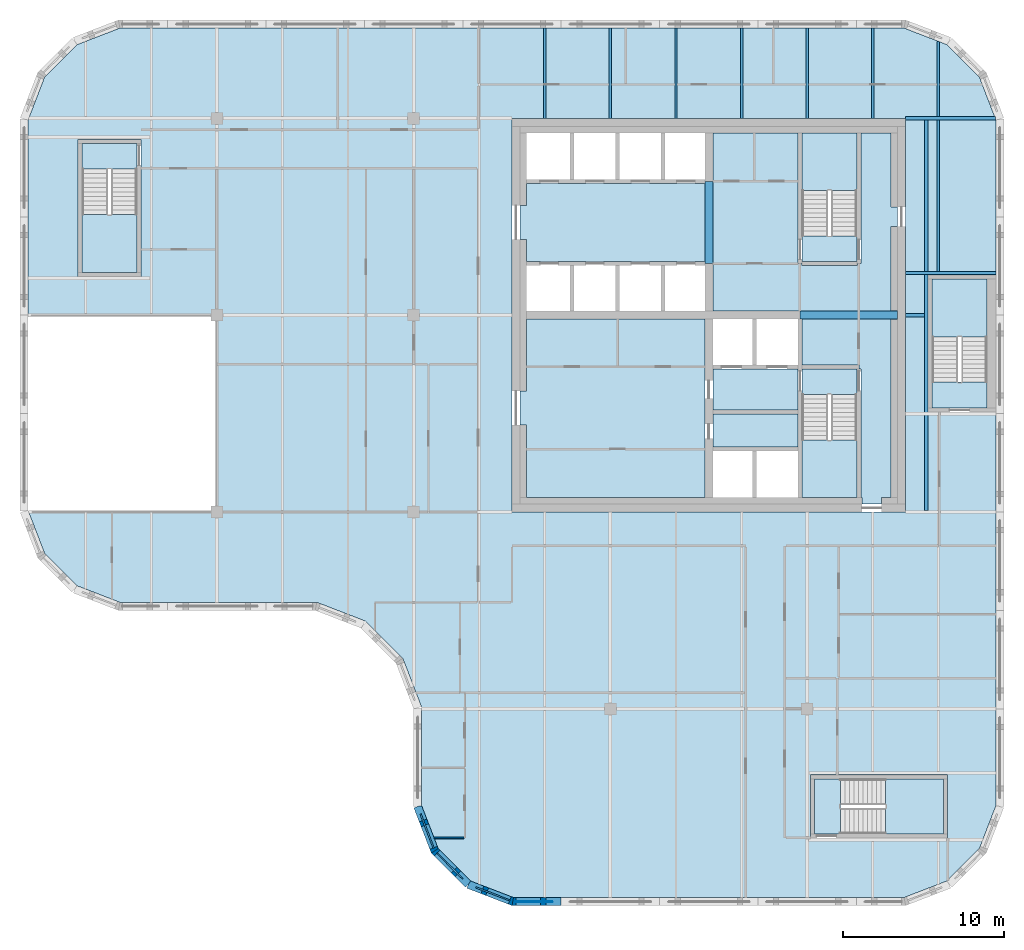
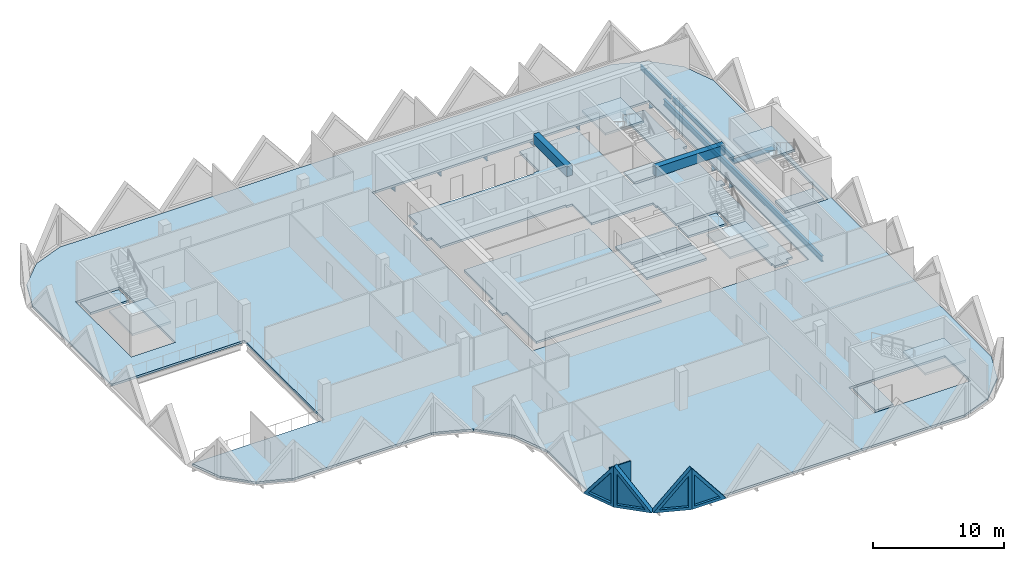
# One storey, part 2 of 11: 15 slabs, 14 beams, 5 walls, 4 plates, 4 openings, 5 elements without a shape of their own.
"""IFC4 building model written with IfcOpenShell, lengths in metres."""

from ifc_helpers import new_model, si_unit, direction, frame, frame_2d, origin, origin_2d, place, context, subcontext, project, spatial, polyline, rectangle, i_section, outline, extrude, faceted_brep, source, transform, mapped, material, layer, layer_set, material_profile, profile_set, type_object, element, fill, aggregate, save


model = new_model("IFC4")

# Units and contexts
model_context = context("Model", 3, precision=1e-05, world=origin(), true_north=direction((0.0, 1.0)))
body_context = subcontext(model_context, "Body", "Model", "MODEL_VIEW")
ifc_project = project(units=[si_unit("LENGTHUNIT", "METRE"), si_unit("AREAUNIT", "SQUARE_METRE"), si_unit("VOLUMEUNIT", "CUBIC_METRE"), si_unit("PLANEANGLEUNIT", "RADIAN"), si_unit("MASSUNIT", "GRAM", prefix="KILO")], contexts=[model_context])

# Site, building, storey
site_placement = place(None, origin())
site = spatial("IfcSite", under=ifc_project, at=site_placement, CompositionType="ELEMENT")
building_placement = place(site_placement, origin())
building = spatial("IfcBuilding", under=site, at=building_placement, Name="Tessera Gate Towers", CompositionType="ELEMENT")
storey_placement = place(building_placement, frame((0.0, 0.0, 197.89990234375)))
storey = spatial("IfcBuildingStorey", under=building, at=storey_placement, Name="L49", CompositionType="ELEMENT", Elevation=197.89990234375)

# Beams
ifc_material_1 = material(Name="Concrete C50/60", Category="concrete")
ifc_material_profile_1 = material_profile(ifc_material_1, rectangle(XDim=0.5, YDim=0.89990234375, at=origin_2d()), Name="RC 500x900")
ifc_profile_set_1 = profile_set([ifc_material_profile_1], Name="Concrete C50/60")
beam_type_1 = type_object("IfcBeamType", Name="COUPLING BEAM 500x900 C50/60", PredefinedType="BEAM", material=ifc_profile_set_1)
beam_1_placement = place(storey_placement, frame((48.35009765625, 36.60009765625, 3.150146484375), z_axis=(1.0, 0.0, 0.0), x_axis=(0.0, 1.0, 0.0)))
element("IfcBeam", 1, at=beam_1_placement, inside=storey, type_object=beam_type_1, Name="L49 coupling beam 1", PredefinedType="BEAM", context=body_context, shape_type="SweptSolid", body=[
    extrude(rectangle(XDim=0.5, YDim=0.89990234375, at=origin_2d()), origin(), (0.0, 0.0, 1.0), 6.0498046875),
])
beam_2_placement = place(storey_placement, frame((42.699951171875, 39.800048828125, 3.150146484375), z_axis=(0.0, 1.0, 0.0), x_axis=(-1.0, 0.0, 0.0)))
element("IfcBeam", 2, at=beam_2_placement, inside=storey, type_object=beam_type_1, Name="L49 coupling beam 2", PredefinedType="BEAM", context=body_context, shape_type="SweptSolid", body=[
    extrude(rectangle(XDim=0.5, YDim=0.89990234375, at=origin_2d()), origin(), (0.0, 0.0, 1.0), 5.099853515625),
])
ifc_material_2 = material(Name="Steel 350W", Category="steel")
ifc_material_profile_2 = material_profile(ifc_material_2, i_section(OverallWidth=0.208984375, OverallDepth=0.532958984375, WebThickness=0.01025390625, FlangeThickness=0.015625, at=origin_2d()), Name="W530x92")
ifc_profile_set_2 = profile_set([ifc_material_profile_2], Name="Steel 350W")
beam_type_2 = type_object("IfcBeamType", Name="FLOOR GIRDER W530x92", PredefinedType="BEAM", material=ifc_profile_set_2)
beam_3_placement = place(storey_placement, frame((54.89892578125, 36.60009765625, -0.46630859375), z_axis=(1.0, 0.0, 0.0), x_axis=(0.0, 1.0, 0.0)))
element("IfcBeam", 3, at=beam_3_placement, inside=storey, type_object=beam_type_2, Name="T1-GD-L49-5192", PredefinedType="BEAM", context=body_context, shape_type="SweptSolid", body=[
    extrude(i_section(OverallWidth=0.208984375, OverallDepth=0.532958984375, WebThickness=0.01025390625, FlangeThickness=0.015625, at=origin_2d()), origin(), (0.0, 0.0, 1.0), 1.176513671875),
])
beam_4_placement = place(storey_placement, frame((54.90087890625, 48.800048828125, -0.46630859375), z_axis=(1.0, 0.0, 0.0), x_axis=(0.0, 1.0, 0.0)))
element("IfcBeam", 4, at=beam_4_placement, inside=storey, type_object=beam_type_2, Name="T1-GD-L49-5196", PredefinedType="BEAM", context=body_context, shape_type="SweptSolid", body=[
    extrude(i_section(OverallWidth=0.208984375, OverallDepth=0.532958984375, WebThickness=0.01025390625, FlangeThickness=0.015625, at=origin_2d()), origin(), (0.0, 0.0, 1.0), 5.564208984375),
])
beam_5_placement = place(storey_placement, frame((54.89892578125, 39.219970703125, -0.46630859375), z_axis=(1.0, 0.0, 0.0), x_axis=(0.0, 1.0, 0.0)))
element("IfcBeam", 5, at=beam_5_placement, inside=storey, type_object=beam_type_2, Name="T1-GD-L49-5214", PredefinedType="BEAM", context=body_context, shape_type="SweptSolid", body=[
    extrude(i_section(OverallWidth=0.208984375, OverallDepth=0.532958984375, WebThickness=0.01025390625, FlangeThickness=0.015625, at=origin_2d()), origin(), (0.0, 0.0, 1.0), 5.60205078125),
])
beam_6_placement = place(storey_placement, frame((56.179931640625, 24.50439453125, -0.46630859375), z_axis=(0.0, 1.0, 0.0), x_axis=(-1.0, 0.0, 0.0)))
element("IfcBeam", 6, at=beam_6_placement, inside=storey, type_object=beam_type_2, Name="T1-GD-L49-5215", PredefinedType="BEAM", context=body_context, shape_type="SweptSolid", body=[
    extrude(i_section(OverallWidth=0.208984375, OverallDepth=0.532958984375, WebThickness=0.01025390625, FlangeThickness=0.015625, at=origin_2d()), origin(), (0.0, 0.0, 1.0), 24.191162109375),
])
ifc_material_3 = material(Name="Steel 350W", Category="steel")
ifc_material_profile_3 = material_profile(ifc_material_3, i_section(OverallWidth=0.153076171875, OverallDepth=0.455078125, WebThickness=0.008056640625, FlangeThickness=0.01318359375, at=origin_2d()), Name="W460x60")
ifc_profile_set_3 = profile_set([ifc_material_profile_3], Name="Steel 350W")
beam_type_3 = type_object("IfcBeamType", Name="FLOOR SECONDARY W460x60", PredefinedType="BEAM", material=ifc_profile_set_3)
for number, where, z_axis, x_axis, name in (
    (7, (32.533203125, 48.800048828125, -0.427490234375), (0.0, 1.0, 0.0), (-1.0, 0.0, 0.0), "T1-BM-L49-5237"),
    (8, (36.60009765625, 48.800048828125, -0.427490234375), (0.0, 1.0, 0.0), (-1.0, 0.0, 0.0), "T1-BM-L49-5238"),
    (9, (40.666748046875, 48.800048828125, -0.427490234375), (0.0, 1.0, 0.0), (-1.0, 0.0, 0.0), "T1-BM-L49-5241"),
    (10, (44.7333984375, 48.800048828125, -0.427490234375), (0.0, 1.0, 0.0), (-1.0, 0.0, 0.0), "T1-BM-L49-5244"),
    (11, (48.800048828125, 48.800048828125, -0.427490234375), (0.0, 1.0, 0.0), (-1.0, 0.0, 0.0), "T1-BM-L49-5245"),
    (12, (52.86669921875, 48.800048828125, -0.427490234375), (0.0, 1.0, 0.0), (-1.0, 0.0, 0.0), "T1-BM-L49-5249"),
):
    element("IfcBeam", number, at=place(storey_placement, frame(where, z_axis=z_axis, x_axis=x_axis)), inside=storey, type_object=beam_type_3, Name=name, PredefinedType="BEAM", context=body_context, shape_type="SweptSolid", body=[
        extrude(i_section(OverallWidth=0.153076171875, OverallDepth=0.455078125, WebThickness=0.008056640625, FlangeThickness=0.01318359375, at=origin_2d()), origin(), (0.0, 0.0, 1.0), 5.599853515625),
    ])
beam_7_placement = place(storey_placement, frame((56.933349609375, 39.324462890625, -0.427490234375), z_axis=(0.0, 1.0, 0.0), x_axis=(-1.0, 0.0, 0.0)))
element("IfcBeam", 13, at=beam_7_placement, inside=storey, type_object=beam_type_3, Name="T1-BM-L49-5254", PredefinedType="BEAM", context=body_context, shape_type="SweptSolid", body=[
    extrude(i_section(OverallWidth=0.153076171875, OverallDepth=0.455078125, WebThickness=0.008056640625, FlangeThickness=0.01318359375, at=origin_2d()), origin(), (0.0, 0.0, 1.0), 9.37109375),
])
beam_8_placement = place(storey_placement, frame((56.933349609375, 48.904541015625, -0.427490234375), z_axis=(0.0, 1.0, 0.0), x_axis=(-1.0, 0.0, 0.0)))
element("IfcBeam", 14, at=beam_8_placement, inside=storey, type_object=beam_type_3, Name="T1-BM-L49-5255", PredefinedType="BEAM", context=body_context, shape_type="SweptSolid", body=[
    extrude(i_section(OverallWidth=0.153076171875, OverallDepth=0.455078125, WebThickness=0.008056640625, FlangeThickness=0.01318359375, at=origin_2d()), origin(), (0.0, 0.0, 1.0), 4.675048828125),
])

# Slabs
ifc_material_4 = material(Name="Concrete C35/45", Category="concrete")
ifc_layer_1 = layer(ifc_material_4, 0.199951171875)
ifc_layer_set_1 = layer_set([ifc_layer_1], Name="COMPOSITE FLOOR 200")
slab_type_1 = type_object("IfcSlabType", Name="COMPOSITE FLOOR 200", PredefinedType="FLOOR", material=ifc_layer_set_1)
slab_1_placement = place(storey_placement, frame((0.0, 0.0, -0.199951171875)))
element("IfcSlab", 15, at=slab_1_placement, inside=storey, type_object=slab_type_1, Name="T1-L49", PredefinedType="FLOOR", context=body_context, shape_type="SweptSolid", body=[
    extrude(outline(polyline([(0.5, 36.60009765625), (12.199951171875, 36.60009765625), (12.199951171875, 24.39990234375), (0.535888671875, 24.39990234375), (1.526123046875, 21.8330078125), (3.533203125, 19.826171875), (6.193115234375, 18.800048828125), (18.39306640625, 18.800048828125), (21.42431640625, 17.630615234375), (23.730712890625, 15.32421875), (24.89990234375, 12.293212890625), (24.89990234375, 6.193115234375), (25.926025390625, 3.533203125), (27.93310546875, 1.526123046875), (30.593017578125, 0.5), (54.806884765625, 0.5), (57.466796875, 1.526123046875), (59.473876953125, 3.533203125), (60.5, 6.193115234375), (60.5, 48.706787109375), (59.473876953125, 51.366943359375), (57.466796875, 53.373779296875), (54.806884765625, 54.39990234375), (6.193115234375, 54.39990234375), (3.533203125, 53.373779296875), (1.526123046875, 51.366943359375), (0.5, 48.706787109375), (0.5, 36.60009765625)]), holes=[polyline([(3.60009765625, 39.0), (3.60009765625, 47.5), (7.5, 47.5), (7.5, 39.0), (3.60009765625, 39.0)]), polyline([(30.5, 24.39990234375), (30.5, 48.800048828125), (54.89990234375, 48.800048828125), (54.89990234375, 24.39990234375), (30.5, 24.39990234375)]), polyline([(49.0, 4.199951171875), (49.0, 8.10009765625), (57.5, 8.10009765625), (57.5, 4.199951171875), (49.0, 4.199951171875)]), polyline([(56.300048828125, 30.60009765625), (56.300048828125, 39.10009765625), (60.199951171875, 39.10009765625), (60.199951171875, 30.60009765625), (56.300048828125, 30.60009765625)])]), origin(), (0.0, 0.0, 1.0), 0.199951171875),
])
ifc_material_5 = material(Name="Concrete C35/45", Category="concrete")
ifc_layer_2 = layer(ifc_material_5, 0.199951171875)
ifc_layer_set_2 = layer_set([ifc_layer_2], Name="CORE FLOOR SLAB 200")
slab_type_2 = type_object("IfcSlabType", Name="CORE FLOOR SLAB 200", PredefinedType="FLOOR", material=ifc_layer_set_2)
slab_2_placement = place(storey_placement, frame((0.0, 0.0, -0.199951171875)))
element("IfcSlab", 16, at=slab_2_placement, inside=storey, type_object=slab_type_2, Name="L49 core floor slab", PredefinedType="FLOOR", context=body_context, shape_type="SweptSolid", body=[
    extrude(outline(polyline([(42.449951171875, 44.89990234375), (42.449951171875, 44.77490234375), (31.39990234375, 44.77490234375), (31.39990234375, 43.39990234375), (31.0, 43.39990234375), (31.0, 41.300048828125), (31.39990234375, 41.300048828125), (31.39990234375, 39.925048828125), (42.449951171875, 39.925048828125), (42.449951171875, 39.800048828125), (42.949951171875, 39.800048828125), (42.949951171875, 36.85009765625), (48.35009765625, 36.85009765625), (48.35009765625, 36.35009765625), (48.47509765625, 36.35009765625), (48.47509765625, 33.52490234375), (52.0, 33.52490234375), (52.0, 33.27490234375), (52.125, 33.27490234375), (52.125, 25.300048828125), (52.199951171875, 25.300048828125), (52.199951171875, 24.89990234375), (53.39990234375, 24.89990234375), (53.39990234375, 25.300048828125), (54.0, 25.300048828125), (54.0, 36.320068359375), (54.39990234375, 36.320068359375), (54.39990234375, 36.8798828125), (54.0, 36.8798828125), (54.0, 42.10009765625), (54.39990234375, 42.10009765625), (54.39990234375, 43.300048828125), (54.0, 43.300048828125), (54.0, 47.89990234375), (52.125, 47.89990234375), (52.125, 39.800048828125), (51.875, 39.800048828125), (51.875, 39.675048828125), (48.47509765625, 39.675048828125), (48.47509765625, 39.800048828125), (48.22509765625, 39.800048828125), (48.22509765625, 47.89990234375), (42.949951171875, 47.89990234375), (42.949951171875, 44.89990234375), (42.449951171875, 44.89990234375)])), origin(), (0.0, 0.0, 1.0), 0.199951171875),
])
slab_3_placement = place(storey_placement, frame((0.0, 0.0, -0.199951171875)))
element("IfcSlab", 17, at=slab_3_placement, inside=storey, type_object=slab_type_2, Name="L49 core floor slab", PredefinedType="FLOOR", context=body_context, shape_type="SweptSolid", body=[
    extrude(outline(polyline([(31.39990234375, 36.35009765625), (31.39990234375, 31.89990234375), (31.0, 31.89990234375), (31.0, 29.800048828125), (31.39990234375, 29.800048828125), (31.39990234375, 25.300048828125), (42.449951171875, 25.300048828125), (42.449951171875, 36.35009765625), (31.39990234375, 36.35009765625)])), origin(), (0.0, 0.0, 1.0), 0.199951171875),
])
slab_4_placement = place(storey_placement, frame((0.0, 0.0, -0.199951171875)))
element("IfcSlab", 18, at=slab_4_placement, inside=storey, type_object=slab_type_2, Name="L49 core floor slab", PredefinedType="FLOOR", context=body_context, shape_type="SweptSolid", body=[
    extrude(outline(polyline([(42.949951171875, 33.27490234375), (42.949951171875, 30.72509765625), (48.22509765625, 30.72509765625), (48.22509765625, 33.27490234375), (42.949951171875, 33.27490234375)])), origin(), (0.0, 0.0, 1.0), 0.199951171875),
])
slab_5_placement = place(storey_placement, frame((0.0, 0.0, -0.199951171875)))
element("IfcSlab", 19, at=slab_5_placement, inside=storey, type_object=slab_type_2, Name="L49 core floor slab", PredefinedType="FLOOR", context=body_context, shape_type="SweptSolid", body=[
    extrude(outline(polyline([(48.22509765625, 30.47509765625), (42.949951171875, 30.47509765625), (42.949951171875, 28.425048828125), (48.22509765625, 28.425048828125), (48.22509765625, 30.47509765625)])), origin(), (0.0, 0.0, 1.0), 0.199951171875),
])
slab_6_placement = place(storey_placement, frame((0.0, 0.0, -0.199951171875)))
element("IfcSlab", 20, at=slab_6_placement, inside=storey, type_object=slab_type_2, Name="L49 core floor slab", PredefinedType="FLOOR", context=body_context, shape_type="SweptSolid", body=[
    extrude(outline(polyline([(51.875, 31.675048828125), (51.875, 33.27490234375), (48.47509765625, 33.27490234375), (48.47509765625, 31.675048828125), (51.875, 31.675048828125)])), origin(), (0.0, 0.0, 1.0), 0.199951171875),
])
slab_7_placement = place(storey_placement, frame((0.0, 0.0, -0.199951171875)))
element("IfcSlab", 21, at=slab_7_placement, inside=storey, type_object=slab_type_2, Name="L49 core floor slab", PredefinedType="FLOOR", context=body_context, shape_type="SweptSolid", body=[
    extrude(outline(polyline([(48.47509765625, 41.52490234375), (48.47509765625, 39.925048828125), (51.875, 39.925048828125), (51.875, 41.52490234375), (48.47509765625, 41.52490234375)])), origin(), (0.0, 0.0, 1.0), 0.199951171875),
])
slab_8_placement = place(storey_placement, frame((0.0, 0.0, -0.199951171875)))
element("IfcSlab", 22, at=slab_8_placement, inside=storey, type_object=slab_type_2, Name="L49 ST3 floor landing", PredefinedType="FLOOR", context=body_context, shape_type="SweptSolid", body=[
    extrude(outline(polyline([(3.85009765625, 47.25), (3.85009765625, 45.64990234375), (7.25, 45.64990234375), (7.25, 47.25), (3.85009765625, 47.25)])), origin(), (0.0, 0.0, 1.0), 0.199951171875),
])
slab_9_placement = place(storey_placement, frame((0.0, 0.0, -0.199951171875)))
element("IfcSlab", 23, at=slab_9_placement, inside=storey, type_object=slab_type_2, Name="L49 ST4 floor landing", PredefinedType="FLOOR", context=body_context, shape_type="SweptSolid", body=[
    extrude(outline(polyline([(49.25, 4.449951171875), (50.85009765625, 4.449951171875), (50.85009765625, 7.85009765625), (49.25, 7.85009765625), (49.25, 4.449951171875)])), origin(), (0.0, 0.0, 1.0), 0.199951171875),
])
slab_10_placement = place(storey_placement, frame((0.0, 0.0, -0.199951171875)))
element("IfcSlab", 24, at=slab_10_placement, inside=storey, type_object=slab_type_2, Name="L49 ST5 floor landing", PredefinedType="FLOOR", context=body_context, shape_type="SweptSolid", body=[
    extrude(outline(polyline([(59.949951171875, 30.85009765625), (59.949951171875, 32.449951171875), (56.550048828125, 32.449951171875), (56.550048828125, 30.85009765625), (59.949951171875, 30.85009765625)])), origin(), (0.0, 0.0, 1.0), 0.199951171875),
])

# Stair, slab
ifc_material_6 = material(Name="Concrete C40/50", Category="concrete")
stair_type_1 = type_object("IfcStairType", Name="EXIT STAIR ST1 1600", PredefinedType="HALF_TURN_STAIR", material=ifc_material_6)
stair_1_placement = place(storey_placement, origin())
stair_1 = element("IfcStair", 25, at=stair_1_placement, inside=storey, type_object=stair_type_1, Name="L49 Protected Exit Stair ST1", PredefinedType="HALF_TURN_STAIR")
ifc_material_7 = material(Name="Concrete C40/50", Category="concrete")
ifc_layer_3 = layer(ifc_material_7, 0.199951171875)
ifc_layer_set_3 = layer_set([ifc_layer_3], Name="EXIT STAIR LANDING 200")
slab_type_3 = type_object("IfcSlabType", Name="EXIT STAIR LANDING 200", PredefinedType="LANDING", material=ifc_layer_set_3)
slab_11_placement = place(storey_placement, frame((0.0, 0.0, 1.7001953125)))
slab_11 = element("IfcSlab", 26, at=slab_11_placement, type_object=slab_type_3, Name="ST1 landing 1", PredefinedType="LANDING", context=body_context, shape_type="SweptSolid", body=[
    extrude(outline(polyline([(48.47509765625, 28.875), (48.47509765625, 25.300048828125), (51.875, 25.300048828125), (51.875, 28.875), (48.47509765625, 28.875)])), origin(), (0.0, 0.0, 1.0), 0.199951171875),
])
aggregate(stair_1, [slab_11])

ifc_material_8 = material(Name="Concrete C40/50", Category="concrete")
stair_type_2 = type_object("IfcStairType", Name="EXIT STAIR ST2 1600", PredefinedType="HALF_TURN_STAIR", material=ifc_material_8)
stair_2_placement = place(storey_placement, origin())
stair_2 = element("IfcStair", 27, at=stair_2_placement, inside=storey, type_object=stair_type_2, Name="L49 Protected Exit Stair ST2", PredefinedType="HALF_TURN_STAIR")
slab_12_placement = place(storey_placement, frame((0.0, 0.0, 1.7001953125)))
slab_12 = element("IfcSlab", 28, at=slab_12_placement, type_object=slab_type_3, Name="ST2 landing 1", PredefinedType="LANDING", context=body_context, shape_type="SweptSolid", body=[
    extrude(outline(polyline([(51.875, 44.324951171875), (51.875, 47.89990234375), (48.47509765625, 47.89990234375), (48.47509765625, 44.324951171875), (51.875, 44.324951171875)])), origin(), (0.0, 0.0, 1.0), 0.199951171875),
])
aggregate(stair_2, [slab_12])

ifc_material_9 = material(Name="Concrete C40/50", Category="concrete")
stair_type_3 = type_object("IfcStairType", Name="EXIT STAIR ST3 1600", PredefinedType="HALF_TURN_STAIR", material=ifc_material_9)
stair_3_placement = place(storey_placement, origin())
stair_3 = element("IfcStair", 29, at=stair_3_placement, inside=storey, type_object=stair_type_3, Name="L49 West Exit Stair ST3", PredefinedType="HALF_TURN_STAIR")
slab_13_placement = place(storey_placement, frame((0.0, 0.0, 1.7001953125)))
slab_13 = element("IfcSlab", 30, at=slab_13_placement, type_object=slab_type_3, Name="ST3 landing 1", PredefinedType="LANDING", context=body_context, shape_type="SweptSolid", body=[
    extrude(outline(polyline([(3.85009765625, 42.85009765625), (3.85009765625, 39.25), (7.25, 39.25), (7.25, 42.85009765625), (3.85009765625, 42.85009765625)])), origin(), (0.0, 0.0, 1.0), 0.199951171875),
])
aggregate(stair_3, [slab_13])

ifc_material_10 = material(Name="Concrete C40/50", Category="concrete")
stair_type_4 = type_object("IfcStairType", Name="EXIT STAIR ST4 1600", PredefinedType="HALF_TURN_STAIR", material=ifc_material_10)
stair_4_placement = place(storey_placement, origin())
stair_4 = element("IfcStair", 31, at=stair_4_placement, inside=storey, type_object=stair_type_4, Name="L49 South Exit Stair ST4", PredefinedType="HALF_TURN_STAIR")
slab_14_placement = place(storey_placement, frame((0.0, 0.0, 1.7001953125)))
slab_14 = element("IfcSlab", 32, at=slab_14_placement, type_object=slab_type_3, Name="ST4 landing 1", PredefinedType="LANDING", context=body_context, shape_type="SweptSolid", body=[
    extrude(outline(polyline([(53.64990234375, 4.449951171875), (57.25, 4.449951171875), (57.25, 7.85009765625), (53.64990234375, 7.85009765625), (53.64990234375, 4.449951171875)])), origin(), (0.0, 0.0, 1.0), 0.199951171875),
])
aggregate(stair_4, [slab_14])

ifc_material_11 = material(Name="Concrete C40/50", Category="concrete")
stair_type_5 = type_object("IfcStairType", Name="EXIT STAIR ST5 1600", PredefinedType="HALF_TURN_STAIR", material=ifc_material_11)
stair_5_placement = place(storey_placement, origin())
stair_5 = element("IfcStair", 33, at=stair_5_placement, inside=storey, type_object=stair_type_5, Name="L49 East Exit Stair ST5", PredefinedType="HALF_TURN_STAIR")
slab_15_placement = place(storey_placement, frame((0.0, 0.0, 1.7001953125)))
slab_15 = element("IfcSlab", 34, at=slab_15_placement, type_object=slab_type_3, Name="ST5 landing 1", PredefinedType="LANDING", context=body_context, shape_type="SweptSolid", body=[
    extrude(outline(polyline([(59.949951171875, 35.25), (59.949951171875, 38.85009765625), (56.550048828125, 38.85009765625), (56.550048828125, 35.25), (59.949951171875, 35.25)])), origin(), (0.0, 0.0, 1.0), 0.199951171875),
])
aggregate(stair_5, [slab_15])

# Wall
ifc_material_12 = material(Name="Glass", Category="glass")
ifc_layer_4 = layer(ifc_material_12, 0.10009765625)
ifc_layer_set_4 = layer_set([ifc_layer_4], Name="GLAZED PARTITION 100")
wall_type_1 = type_object("IfcWallType", Name="GLAZED PARTITION 100", PredefinedType="PARTITIONING", material=ifc_layer_set_4)
wall_1_placement = place(storey_placement, frame((25.668701171875, 4.199951171875, 0.0), z_axis=(0.0, 0.0, 1.0), x_axis=(1.0, 0.0, 0.0)))
element("IfcWall", 35, at=wall_1_placement, inside=storey, type_object=wall_type_1, Name="T1-L49-PW-003", PredefinedType="PARTITIONING", context=body_context, shape_type="SweptSolid", body=[
    extrude(rectangle(XDim=1.855224609375, YDim=0.10009765625, at=frame_2d((0.927734375, 0.0))), origin(), (0.0, 0.0, 1.0), 3.067138671875),
])

# Wall, opening, plate
ifc_material_13 = material(Name="Precast concrete C60/75 white", Category="concrete")
ifc_layer_5 = layer(ifc_material_13, 0.5)
ifc_layer_set_5 = layer_set([ifc_layer_5], Name="TS3 corner tessera")
wall_type_2 = type_object("IfcWallType", Name="TS3 corner tessera", PredefinedType="SOLIDWALL", material=ifc_layer_set_5)
shared_shape_1 = source(origin(), body_context, "Body", "Brep", [
    faceted_brep([(3.050048828125, -0.25, 0.0), (0.046630859375, -0.25, 3.800048828125), (0.0, -0.25, 3.739990234375), (0.0, -0.25, 0.0), (0.09326171875, 0.25, 3.7412109375), (3.050048828125, 0.25, 0.0), (0.09326171875, 0.25, 0.0), (0.046630859375, 0.0, 3.800048828125)], [[[0, 1, 2, 3]], [[4, 5, 6]], [[5, 4, 7, 1, 0]], [[2, 1, 7]], [[6, 5, 0, 3]], [[6, 3, 2, 7, 4]]]),
])
wall_2_placement = place(storey_placement, frame((30.5, 0.25, 0.0), z_axis=(0.0, 0.0, 1.0), x_axis=(1.0, 0.0, 0.0)))
wall_2 = element("IfcWall", 36, at=wall_2_placement, inside=storey, type_object=wall_type_2, Name="Precast corner tessera T1 TS3-1129", PredefinedType="SOLIDWALL", context=body_context, shape_type="MappedRepresentation", body=[
    mapped(shared_shape_1, transform((0.0, 0.0, 0.0), scale=1.0)),
])
shared_shape_2 = source(origin(), body_context, "Body", "SweptSolid", [
    extrude(outline(polyline([(2.533935546875, 0.25), (0.24658203125, 3.143798828125), (0.24658203125, 0.25), (2.533935546875, 0.25)])), frame((0.0, 0.260009765625, 0.0), z_axis=(0.0, -1.0, 0.0), x_axis=(1.0, 0.0, 0.0)), (0.0, 0.0, 1.0), 0.52001953125),
])
opening_1_placement = place(wall_2_placement, origin())
opening_1 = element("IfcOpeningElement", 37, at=opening_1_placement, cuts=wall_2, Name="Opening T1-PL1-0470", PredefinedType="OPENING", context=body_context, shape_type="MappedRepresentation", body=[
    mapped(shared_shape_2, transform((0.0, 0.0, 0.0), scale=1.0)),
])
ifc_material_14 = material(Name="Low-e laminated glass", Category="glass")
ifc_layer_6 = layer(ifc_material_14, 0.06005859375)
ifc_layer_set_6 = layer_set([ifc_layer_6], Name="PL1 triangular pane")
plate_type = type_object("IfcPlateType", Name="PL1 triangular pane", PredefinedType="SHEET", material=ifc_layer_set_6)
shared_shape_3 = source(origin(), body_context, "Body", "SweptSolid", [
    extrude(outline(polyline([(2.533935546875, 0.25), (0.24658203125, 3.143798828125), (0.24658203125, 0.25), (2.533935546875, 0.25)])), frame((0.0, 0.030029296875, 0.0), z_axis=(0.0, -1.0, 0.0), x_axis=(1.0, 0.0, 0.0)), (0.0, 0.0, 1.0), 0.06005859375),
])
plate_1_placement = place(opening_1_placement, origin())
plate_1 = element("IfcPlate", 38, at=plate_1_placement, inside=storey, type_object=plate_type, Name="Glass pane T1 PL1-0470", PredefinedType="SHEET", context=body_context, shape_type="MappedRepresentation", body=[
    mapped(shared_shape_3, transform((0.0, 0.0, 0.0), scale=1.0)),
])
fill(opening_1, plate_1)

shared_shape_4 = source(origin(), body_context, "Body", "Brep", [
    faceted_brep([(2.9970703125, -0.25, 3.740966796875), (2.950439453125, -0.25, 3.800048828125), (0.0, -0.25, 0.0), (2.9970703125, -0.25, 0.0), (0.052978515625, 0.25, 0.068115234375), (2.904052734375, 0.25, 3.740234375), (2.904052734375, 0.25, 0.0), (0.052978515625, 0.25, 0.0), (2.950439453125, 0.00048828125, 3.800048828125), (0.0, 0.0, 0.0)], [[[0, 1, 2, 3]], [[4, 5, 6, 7]], [[8, 1, 0]], [[5, 4, 9, 2, 1, 8]], [[7, 6, 3, 2, 9]], [[7, 9, 4]], [[3, 6, 5, 8, 0]]]),
])
wall_3_placement = place(storey_placement, frame((27.793701171875, 1.31201171875, 0.0), z_axis=(0.0, 0.0, 1.0), x_axis=(0.932973525033, -0.359944998003, 0.0)))
wall_3 = element("IfcWall", 39, at=wall_3_placement, inside=storey, type_object=wall_type_2, Name="Precast corner tessera T1 TS3-1130", PredefinedType="SOLIDWALL", context=body_context, shape_type="MappedRepresentation", body=[
    mapped(shared_shape_4, transform((0.0, 0.0, 0.0), scale=1.0)),
])
shared_shape_5 = source(origin(), body_context, "Body", "SweptSolid", [
    extrude(outline(polyline([(2.75048828125, 3.134765625), (0.5107421875, 0.25), (2.75048828125, 0.25), (2.75048828125, 3.134765625)])), frame((0.0, 0.260009765625, 0.0), z_axis=(0.0, -1.0, 0.0), x_axis=(1.0, 0.0, 0.0)), (0.0, 0.0, 1.0), 0.52001953125),
])
opening_2_placement = place(wall_3_placement, origin())
opening_2 = element("IfcOpeningElement", 40, at=opening_2_placement, cuts=wall_3, Name="Opening T1-PL1-0471", PredefinedType="OPENING", context=body_context, shape_type="MappedRepresentation", body=[
    mapped(shared_shape_5, transform((0.0, 0.0, 0.0), scale=1.0)),
])
shared_shape_6 = source(origin(), body_context, "Body", "SweptSolid", [
    extrude(outline(polyline([(2.75048828125, 3.134765625), (0.5107421875, 0.25), (2.75048828125, 0.25), (2.75048828125, 3.134765625)])), frame((0.0, 0.030029296875, 0.0), z_axis=(0.0, -1.0, 0.0), x_axis=(1.0, 0.0, 0.0)), (0.0, 0.0, 1.0), 0.06005859375),
])
plate_2_placement = place(opening_2_placement, origin())
plate_2 = element("IfcPlate", 41, at=plate_2_placement, inside=storey, type_object=plate_type, Name="Glass pane T1 PL1-0471", PredefinedType="SHEET", context=body_context, shape_type="MappedRepresentation", body=[
    mapped(shared_shape_6, transform((0.0, 0.0, 0.0), scale=1.0)),
])
fill(opening_2, plate_2)

shared_shape_7 = source(origin(), body_context, "Body", "Brep", [
    faceted_brep([(3.00341796875, -0.25, 3.731689453125), (2.950439453125, -0.25, 3.800048828125), (0.0, -0.25, 0.0), (3.00341796875, -0.25, 0.0), (0.046630859375, 0.25, 0.06005859375), (2.897705078125, 0.25, 3.73193359375), (2.897705078125, 0.25, 0.0), (0.046630859375, 0.25, 0.0), (2.950439453125, 0.00048828125, 3.800048828125), (0.0, 0.0, 0.0)], [[[0, 1, 2, 3]], [[4, 5, 6, 7]], [[8, 1, 0]], [[5, 4, 9, 2, 1, 8]], [[7, 6, 3, 2, 9]], [[7, 9, 4]], [[3, 6, 5, 8, 0]]]),
])
wall_4_placement = place(storey_placement, frame((24.64990234375, 6.146484375, 0.0), z_axis=(0.0, 0.0, 1.0), x_axis=(0.359953949349, -0.932970071518, 0.0)))
wall_4 = element("IfcWall", 42, at=wall_4_placement, inside=storey, type_object=wall_type_2, Name="Precast corner tessera T1 TS3-1151", PredefinedType="SOLIDWALL", context=body_context, shape_type="MappedRepresentation", body=[
    mapped(shared_shape_7, transform((0.0, 0.0, 0.0), scale=1.0)),
])
opening_3_placement = place(wall_4_placement, origin())
opening_3 = element("IfcOpeningElement", 43, at=opening_3_placement, cuts=wall_4, Name="Opening T1-PL1-0515", PredefinedType="OPENING", context=body_context, shape_type="MappedRepresentation", body=[
    mapped(shared_shape_5, transform((0.0, 0.0, 0.0), scale=1.0)),
])
plate_3_placement = place(opening_3_placement, origin())
plate_3 = element("IfcPlate", 44, at=plate_3_placement, inside=storey, type_object=plate_type, Name="Glass pane T1 PL1-0515", PredefinedType="SHEET", context=body_context, shape_type="MappedRepresentation", body=[
    mapped(shared_shape_6, transform((0.0, 0.0, 0.0), scale=1.0)),
])
fill(opening_3, plate_3)

shared_shape_8 = source(origin(), body_context, "Body", "Brep", [
    faceted_brep([(2.9970703125, -0.25, 0.0), (0.052978515625, -0.25, 3.800048828125), (0.0, -0.25, 3.73193359375), (0.0, -0.25, 0.0), (0.10595703125, 0.25, 3.731689453125), (2.944091796875, 0.25, 0.068115234375), (2.944091796875, 0.25, 0.0), (0.10595703125, 0.25, 0.0), (0.052978515625, 0.0, 3.800048828125), (2.9970703125, 0.000244140625, 0.0)], [[[0, 1, 2, 3]], [[4, 5, 6, 7]], [[5, 4, 8, 1, 0, 9]], [[2, 1, 8]], [[7, 6, 9, 0, 3]], [[7, 3, 2, 8, 4]], [[9, 6, 5]]]),
])
wall_5_placement = place(storey_placement, frame((25.674560546875, 3.43115234375, 0.0), z_axis=(0.0, 0.0, 1.0), x_axis=(0.707106781187, -0.707106781187, 0.0)))
wall_5 = element("IfcWall", 45, at=wall_5_placement, inside=storey, type_object=wall_type_2, Name="Precast corner tessera T1 TS3-1152", PredefinedType="SOLIDWALL", context=body_context, shape_type="MappedRepresentation", body=[
    mapped(shared_shape_8, transform((0.0, 0.0, 0.0), scale=1.0)),
])
shared_shape_9 = source(origin(), body_context, "Body", "SweptSolid", [
    extrude(outline(polyline([(2.487060546875, 0.25), (0.2529296875, 3.1337890625), (0.2529296875, 0.25), (2.487060546875, 0.25)])), frame((0.0, 0.260009765625, 0.0), z_axis=(0.0, -1.0, 0.0), x_axis=(1.0, 0.0, 0.0)), (0.0, 0.0, 1.0), 0.52001953125),
])
opening_4_placement = place(wall_5_placement, origin())
opening_4 = element("IfcOpeningElement", 46, at=opening_4_placement, cuts=wall_5, Name="Opening T1-PL1-0516", PredefinedType="OPENING", context=body_context, shape_type="MappedRepresentation", body=[
    mapped(shared_shape_9, transform((0.0, 0.0, 0.0), scale=1.0)),
])
shared_shape_10 = source(origin(), body_context, "Body", "SweptSolid", [
    extrude(outline(polyline([(2.487060546875, 0.25), (0.2529296875, 3.1337890625), (0.2529296875, 0.25), (2.487060546875, 0.25)])), frame((0.0, 0.030029296875, 0.0), z_axis=(0.0, -1.0, 0.0), x_axis=(1.0, 0.0, 0.0)), (0.0, 0.0, 1.0), 0.06005859375),
])
plate_4_placement = place(opening_4_placement, origin())
plate_4 = element("IfcPlate", 47, at=plate_4_placement, inside=storey, type_object=plate_type, Name="Glass pane T1 PL1-0516", PredefinedType="SHEET", context=body_context, shape_type="MappedRepresentation", body=[
    mapped(shared_shape_10, transform((0.0, 0.0, 0.0), scale=1.0)),
])
fill(opening_4, plate_4)

save(model, "model.ifc")
